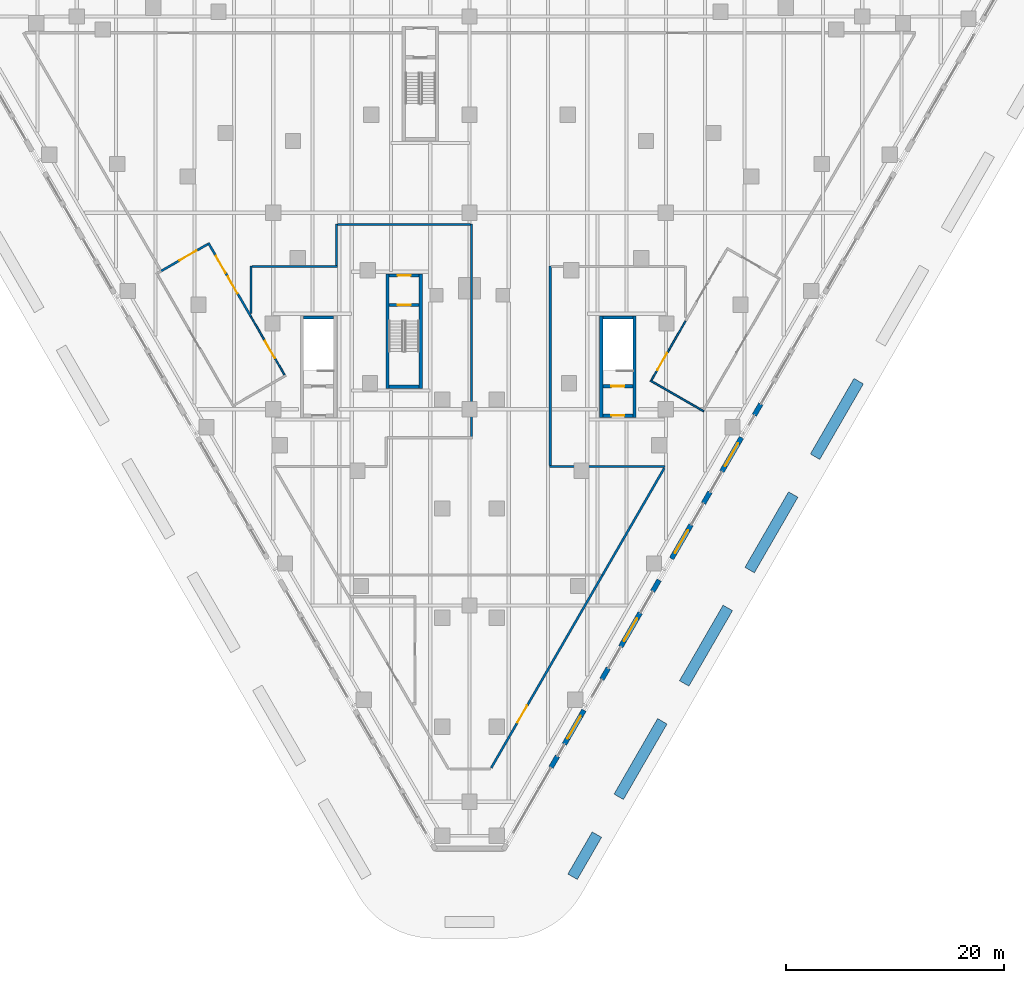
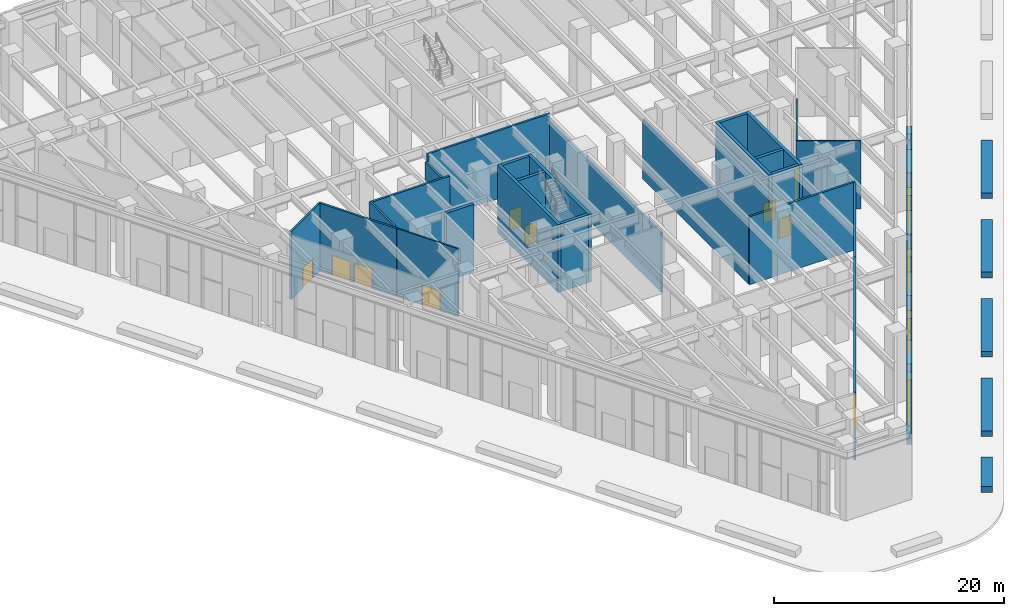
# One storey, part 26 of 37: 39 walls, 14 doors, 14 openings.
"""IFC4 building model written with IfcOpenShell, lengths in metres."""

from ifc_helpers import new_model, si_unit, direction, frame, frame_2d, origin, place, context, subcontext, project, spatial, rectangle, extrude, material, layer, layer_set, type_object, element, fill, save


model = new_model("IFC4")

# Units and contexts
model_context = context("Model", 3, precision=1e-05, world=origin(), true_north=direction((0.0, 1.0)))
body_context = subcontext(model_context, "Body", "Model", "MODEL_VIEW")
ifc_project = project(units=[si_unit("LENGTHUNIT", "METRE"), si_unit("AREAUNIT", "SQUARE_METRE"), si_unit("VOLUMEUNIT", "CUBIC_METRE"), si_unit("PLANEANGLEUNIT", "RADIAN"), si_unit("MASSUNIT", "GRAM", prefix="KILO")], contexts=[model_context])

# Site, building, storey
site_placement = place(None, origin())
site = spatial("IfcSite", under=ifc_project, at=site_placement, CompositionType="ELEMENT")
building_placement = place(site_placement, origin())
building = spatial("IfcBuilding", under=site, at=building_placement, Name="Aloe Facet Convention Tower", CompositionType="ELEMENT")
storey_placement = place(building_placement, origin())
storey = spatial("IfcBuildingStorey", under=building, at=storey_placement, Name="L00", CompositionType="ELEMENT", Elevation=0.0)

# Walls
ifc_material_1 = material(Name="Concrete C50/60", Category="concrete")
ifc_layer_1 = layer(ifc_material_1, 0.300048828125)
ifc_layer_set_1 = layer_set([ifc_layer_1], Name="CR-W-RC300-C5060")
wall_type_1 = type_object("IfcWallType", Name="CR-W-RC300-C5060", PredefinedType="SOLIDWALL", material=ifc_layer_set_1)
for number, where, z_axis, x_axis, name in (
    (1, (72.47509765625, 82.89990234375, 0.0), (0.0, 0.0, 1.0), (0.0, 1.0, 0.0), "Exit stair wall L00-01"),
    (2, (75.52490234375, 82.89990234375, 0.0), (0.0, 0.0, 1.0), (0.0, 1.0, 0.0), "Exit stair wall L00-02"),
):
    element("IfcWall", number, at=place(storey_placement, frame(where, z_axis=z_axis, x_axis=x_axis)), inside=storey, type_object=wall_type_1, Name=name, PredefinedType="SOLIDWALL", context=body_context, shape_type="SweptSolid", body=[
        extrude(rectangle(XDim=10.5, YDim=0.300048828125, at=frame_2d((5.25, 0.0))), origin(), (0.0, 0.0, 1.0), 7.199951171875),
    ])
wall_1_placement = place(storey_placement, frame((72.625, 83.050048828125, 0.0), z_axis=(0.0, 0.0, 1.0), x_axis=(1.0, 0.0, 0.0)))
element("IfcWall", 3, at=wall_1_placement, inside=storey, type_object=wall_type_1, Name="Exit stair wall L00-03", PredefinedType="SOLIDWALL", context=body_context, shape_type="SweptSolid", body=[
    extrude(rectangle(XDim=2.75, YDim=0.300048828125, at=frame_2d((1.375, 0.0))), origin(), (0.0, 0.0, 1.0), 7.199951171875),
])

# Wall, opening, door
wall_2_placement = place(storey_placement, frame((72.625, 90.550048828125, 0.0), z_axis=(0.0, 0.0, 1.0), x_axis=(1.0, 0.0, 0.0)))
wall_2 = element("IfcWall", 4, at=wall_2_placement, inside=storey, type_object=wall_type_1, Name="Exit stair wall L00-04", PredefinedType="SOLIDWALL", context=body_context, shape_type="SweptSolid", body=[
    extrude(rectangle(XDim=2.75, YDim=0.300048828125, at=frame_2d((1.375, 0.0))), origin(), (0.0, 0.0, 1.0), 7.199951171875),
])
opening_1_placement = place(wall_2_placement, frame((0.77490234375, 0.0, 0.0)))
opening_1 = element("IfcOpeningElement", 5, at=opening_1_placement, cuts=wall_2, Name="Opening L00-ST4-01", PredefinedType="OPENING", context=body_context, shape_type="SweptSolid", body=[
    extrude(rectangle(XDim=1.199951171875, YDim=2.10009765625, at=frame_2d((0.60009765625, 1.050048828125))), frame((0.0, 0.16015625, 0.0), z_axis=(0.0, -1.0, 0.0), x_axis=(1.0, 0.0, 0.0)), (0.0, 0.0, 1.0), 0.320068359375),
])
ifc_material_2 = material(Name="Steel fire-resisting door set FD120", Category="steel")
door_type_1 = type_object("IfcDoorType", Name="CR-D-STAIR-1200-FD120-SLEFT", OperationType="SINGLE_SWING_LEFT", PredefinedType="DOOR", material=ifc_material_2)
door_1_placement = place(opening_1_placement, origin())
door_1 = element("IfcDoor", 6, at=door_1_placement, inside=storey, type_object=door_type_1, Name="Stair door L00-ST4-01", OperationType="SINGLE_SWING_LEFT", OverallHeight=2.10009765625, OverallWidth=1.199951171875, PredefinedType="DOOR", context=body_context, shape_type="SweptSolid", body=[
    extrude(rectangle(XDim=1.199951171875, YDim=2.10009765625, at=frame_2d((0.60009765625, 1.050048828125))), frame((0.0, 0.02490234375, 0.0), z_axis=(0.0, -1.0, 0.0), x_axis=(1.0, 0.0, 0.0)), (0.0, 0.0, 1.0), 0.050048828125),
])
fill(opening_1, door_1)

wall_3_placement = place(storey_placement, frame((72.625, 93.25, 0.0), z_axis=(0.0, 0.0, 1.0), x_axis=(1.0, 0.0, 0.0)))
wall_3 = element("IfcWall", 7, at=wall_3_placement, inside=storey, type_object=wall_type_1, Name="Exit stair wall L00-05", PredefinedType="SOLIDWALL", context=body_context, shape_type="SweptSolid", body=[
    extrude(rectangle(XDim=2.75, YDim=0.300048828125, at=frame_2d((1.375, 0.0))), origin(), (0.0, 0.0, 1.0), 7.199951171875),
])
opening_2_placement = place(wall_3_placement, frame((0.77490234375, 0.0, 0.0)))
opening_2 = element("IfcOpeningElement", 8, at=opening_2_placement, cuts=wall_3, Name="Opening L00-ST4-02", PredefinedType="OPENING", context=body_context, shape_type="SweptSolid", body=[
    extrude(rectangle(XDim=1.199951171875, YDim=2.10009765625, at=frame_2d((0.60009765625, 1.050048828125))), frame((0.0, 0.16015625, 0.0), z_axis=(0.0, -1.0, 0.0), x_axis=(1.0, 0.0, 0.0)), (0.0, 0.0, 1.0), 0.320068359375),
])
ifc_material_3 = material(Name="Steel fire-resisting door set FD60", Category="steel")
door_type_2 = type_object("IfcDoorType", Name="CR-D-EXIT-1200-FD60-SRIGHT", OperationType="SINGLE_SWING_RIGHT", PredefinedType="DOOR", material=ifc_material_3)
door_2_placement = place(opening_2_placement, origin())
door_2 = element("IfcDoor", 9, at=door_2_placement, inside=storey, type_object=door_type_2, Name="Stair lobby door L00-ST4-02", OperationType="SINGLE_SWING_RIGHT", OverallHeight=2.10009765625, OverallWidth=1.199951171875, PredefinedType="DOOR", context=body_context, shape_type="SweptSolid", body=[
    extrude(rectangle(XDim=1.199951171875, YDim=2.10009765625, at=frame_2d((0.60009765625, 1.050048828125))), frame((0.0, 0.02490234375, 0.0), z_axis=(0.0, -1.0, 0.0), x_axis=(1.0, 0.0, 0.0)), (0.0, 0.0, 1.0), 0.050048828125),
])
fill(opening_2, door_2)

# Walls
for number, where, z_axis, x_axis, name in (
    (10, (92.074951171875, 80.25, 0.0), (0.0, 0.0, 1.0), (0.0, 1.0, 0.0), "Exit stair wall L00-11"),
    (11, (95.125, 80.25, 0.0), (0.0, 0.0, 1.0), (0.0, 1.0, 0.0), "Exit stair wall L00-12"),
):
    element("IfcWall", number, at=place(storey_placement, frame(where, z_axis=z_axis, x_axis=x_axis)), inside=storey, type_object=wall_type_1, Name=name, PredefinedType="SOLIDWALL", context=body_context, shape_type="SweptSolid", body=[
        extrude(rectangle(XDim=9.300048828125, YDim=0.300048828125, at=frame_2d((4.64990234375, 0.0))), origin(), (0.0, 0.0, 1.0), 7.199951171875),
    ])

# Wall, opening, door
wall_4_placement = place(storey_placement, frame((92.22509765625, 80.39990234375, 0.0), z_axis=(0.0, 0.0, 1.0), x_axis=(1.0, 0.0, 0.0)))
wall_4 = element("IfcWall", 12, at=wall_4_placement, inside=storey, type_object=wall_type_1, Name="Exit stair wall L00-13", PredefinedType="SOLIDWALL", context=body_context, shape_type="SweptSolid", body=[
    extrude(rectangle(XDim=2.75, YDim=0.300048828125, at=frame_2d((1.375, 0.0))), origin(), (0.0, 0.0, 1.0), 7.199951171875),
])
opening_3_placement = place(wall_4_placement, frame((0.77490234375, 0.0, 0.0)))
opening_3 = element("IfcOpeningElement", 13, at=opening_3_placement, cuts=wall_4, Name="Opening L00-ST6-02", PredefinedType="OPENING", context=body_context, shape_type="SweptSolid", body=[
    extrude(rectangle(XDim=1.199951171875, YDim=2.10009765625, at=frame_2d((0.60009765625, 1.050048828125))), frame((0.0, 0.16015625, 0.0), z_axis=(0.0, -1.0, 0.0), x_axis=(1.0, 0.0, 0.0)), (0.0, 0.0, 1.0), 0.320068359375),
])
door_3_placement = place(opening_3_placement, origin())
door_3 = element("IfcDoor", 14, at=door_3_placement, inside=storey, type_object=door_type_2, Name="Stair lobby door L00-ST6-02", OperationType="SINGLE_SWING_RIGHT", OverallHeight=2.10009765625, OverallWidth=1.199951171875, PredefinedType="DOOR", context=body_context, shape_type="SweptSolid", body=[
    extrude(rectangle(XDim=1.199951171875, YDim=2.10009765625, at=frame_2d((0.60009765625, 1.050048828125))), frame((0.0, 0.02490234375, 0.0), z_axis=(0.0, -1.0, 0.0), x_axis=(1.0, 0.0, 0.0)), (0.0, 0.0, 1.0), 0.050048828125),
])
fill(opening_3, door_3)

wall_5_placement = place(storey_placement, frame((92.22509765625, 83.10009765625, 0.0), z_axis=(0.0, 0.0, 1.0), x_axis=(1.0, 0.0, 0.0)))
wall_5 = element("IfcWall", 15, at=wall_5_placement, inside=storey, type_object=wall_type_1, Name="Exit stair wall L00-14", PredefinedType="SOLIDWALL", context=body_context, shape_type="SweptSolid", body=[
    extrude(rectangle(XDim=2.75, YDim=0.300048828125, at=frame_2d((1.375, 0.0))), origin(), (0.0, 0.0, 1.0), 7.199951171875),
])
opening_4_placement = place(wall_5_placement, frame((0.77490234375, 0.0, 0.0)))
opening_4 = element("IfcOpeningElement", 16, at=opening_4_placement, cuts=wall_5, Name="Opening L00-ST6-01", PredefinedType="OPENING", context=body_context, shape_type="SweptSolid", body=[
    extrude(rectangle(XDim=1.199951171875, YDim=2.10009765625, at=frame_2d((0.60009765625, 1.050048828125))), frame((0.0, 0.16015625, 0.0), z_axis=(0.0, -1.0, 0.0), x_axis=(1.0, 0.0, 0.0)), (0.0, 0.0, 1.0), 0.320068359375),
])
door_4_placement = place(opening_4_placement, origin())
door_4 = element("IfcDoor", 17, at=door_4_placement, inside=storey, type_object=door_type_1, Name="Stair door L00-ST6-01", OperationType="SINGLE_SWING_LEFT", OverallHeight=2.10009765625, OverallWidth=1.199951171875, PredefinedType="DOOR", context=body_context, shape_type="SweptSolid", body=[
    extrude(rectangle(XDim=1.199951171875, YDim=2.10009765625, at=frame_2d((0.60009765625, 1.050048828125))), frame((0.0, 0.02490234375, 0.0), z_axis=(0.0, -1.0, 0.0), x_axis=(1.0, 0.0, 0.0)), (0.0, 0.0, 1.0), 0.050048828125),
])
fill(opening_4, door_4)

# Walls
for number, where, z_axis, x_axis, name in (
    (18, (92.22509765625, 89.39990234375, 0.0), (0.0, 0.0, 1.0), (1.0, 0.0, 0.0), "Exit stair wall L00-15"),
    (19, (64.800048828125, 89.39990234375, 0.0), (0.0, 0.0, 1.0), (1.0, 0.0, 0.0), "Exit stair wall L00-20"),
):
    element("IfcWall", number, at=place(storey_placement, frame(where, z_axis=z_axis, x_axis=x_axis)), inside=storey, type_object=wall_type_1, Name=name, PredefinedType="SOLIDWALL", context=body_context, shape_type="SweptSolid", body=[
        extrude(rectangle(XDim=2.75, YDim=0.300048828125, at=frame_2d((1.375, 0.0))), origin(), (0.0, 0.0, 1.0), 7.199951171875),
    ])
ifc_material_4 = material(Name="Precast concrete C40/50", Category="concrete")
ifc_layer_2 = layer(ifc_material_4, 1.0)
ifc_layer_set_2 = layer_set([ifc_layer_2], Name="EV-PLANTER-BED")
wall_type_2 = type_object("IfcWallType", Name="EV-PLANTER-BED", PredefinedType="STANDARD", material=ifc_layer_set_2)
for number, where, z_axis, x_axis, name in (
    (20, (115.6787109375, 83.568115234375, 0.0), (0.0, 0.0, 1.0), (-0.49999894854, -0.866026010844, 0.0), "PLANTER G-5"),
    (21, (109.6787109375, 73.17578125, 0.0), (0.0, 0.0, 1.0), (-0.49999894854, -0.866026010844, 0.0), "PLANTER G-6"),
    (22, (103.6787109375, 62.783447265625, 0.0), (0.0, 0.0, 1.0), (-0.49999894854, -0.866026010844, 0.0), "PLANTER G-7"),
    (23, (97.6787109375, 52.39111328125, 0.0), (0.0, 0.0, 1.0), (-0.49999894854, -0.866026010844, 0.0), "PLANTER G-8"),
):
    element("IfcWall", number, at=place(storey_placement, frame(where, z_axis=z_axis, x_axis=x_axis)), inside=storey, type_object=wall_type_2, Name=name, PredefinedType="STANDARD", context=body_context, shape_type="SweptSolid", body=[
        extrude(rectangle(XDim=8.0, YDim=1.0, at=frame_2d((4.0, 0.0))), origin(), (0.0, 0.0, 1.0), 0.60009765625),
    ])
wall_6_placement = place(storey_placement, frame((91.6787109375, 41.998779296875, 0.0), z_axis=(0.0, 0.0, 1.0), x_axis=(-0.499992336327, -0.866029828363, 0.0)))
element("IfcWall", 24, at=wall_6_placement, inside=storey, type_object=wall_type_2, Name="PLANTER G-9", PredefinedType="STANDARD", context=body_context, shape_type="SweptSolid", body=[
    extrude(rectangle(XDim=4.46337890625, YDim=1.0, at=frame_2d((2.231689453125, 0.0))), origin(), (0.0, 0.0, 1.0), 0.60009765625),
])
ifc_material_5 = material(Name="Precast concrete C40/50", Category="concrete")
ifc_layer_3 = layer(ifc_material_5, 0.449951171875)
ifc_layer_set_3 = layer_set([ifc_layer_3], Name="EV-WALL-STONE")
wall_type_3 = type_object("IfcWallType", Name="EV-WALL-STONE", PredefinedType="SOLIDWALL", material=ifc_layer_set_3)
wall_7_placement = place(storey_placement, frame((87.4658203125, 48.151611328125, -0.300048828125), z_axis=(0.0, 0.0, 1.0), x_axis=(0.500033551112, 0.866006032174, 0.0)))
element("IfcWall", 25, at=wall_7_placement, inside=storey, type_object=wall_type_3, Name="PW-L00-E03", PredefinedType="SOLIDWALL", context=body_context, shape_type="SweptSolid", body=[
    extrude(rectangle(XDim=1.2001953125, YDim=0.449951171875, at=frame_2d((0.60009765625, 0.0))), origin(), (0.0, 0.0, 1.0), 6.8125),
])

# Wall, opening, door
wall_8_placement = place(storey_placement, frame((88.6962890625, 50.28271484375, -0.300048828125), z_axis=(0.0, 0.0, 1.0), x_axis=(0.499961193289, 0.866047807691, 0.0)))
wall_8 = element("IfcWall", 26, at=wall_8_placement, inside=storey, type_object=wall_type_3, Name="PW-L00-E04", PredefinedType="SOLIDWALL", context=body_context, shape_type="SweptSolid", body=[
    extrude(rectangle(XDim=3.599853515625, YDim=0.449951171875, at=frame_2d((1.7998046875, 0.0))), origin(), (0.0, 0.0, 1.0), 6.8125),
])
opening_5_placement = place(wall_8_placement, frame((0.60009765625, 0.0, 0.300048828125)))
opening_5 = element("IfcOpeningElement", 27, at=opening_5_placement, cuts=wall_8, Name="Opening D-L00-E04", PredefinedType="OPENING", context=body_context, shape_type="SweptSolid", body=[
    extrude(rectangle(XDim=2.39990234375, YDim=3.0, at=frame_2d((1.199951171875, 1.5))), frame((0.0, 0.23486328125, 0.0), z_axis=(0.0, -1.0, 0.0), x_axis=(1.0, 0.0, 0.0)), (0.0, 0.0, 1.0), 0.469970703125),
])
ifc_material_6 = material(Name="Aluminium frame, clear double glazing", Category="aluminium")
door_type_3 = type_object("IfcDoorType", Name="EV-DOOR-ENTRY", OperationType="DOUBLE_DOOR_SINGLE_SWING", PredefinedType="DOOR", material=ifc_material_6)
door_5_placement = place(opening_5_placement, origin())
door_5 = element("IfcDoor", 28, at=door_5_placement, inside=storey, type_object=door_type_3, Name="D-L00-E04", OperationType="DOUBLE_DOOR_SINGLE_SWING", OverallHeight=3.0, OverallWidth=2.39990234375, PredefinedType="DOOR", context=body_context, shape_type="SweptSolid", body=[
    extrude(rectangle(XDim=2.39990234375, YDim=3.0, at=frame_2d((1.199951171875, 1.5))), frame((0.0, 0.02490234375, 0.0), z_axis=(0.0, -1.0, 0.0), x_axis=(1.0, 0.0, 0.0)), (0.0, 0.0, 1.0), 0.050048828125),
])
fill(opening_5, door_5)

# Wall
wall_9_placement = place(storey_placement, frame((92.12646484375, 56.224365234375, -0.300048828125), z_axis=(0.0, 0.0, 1.0), x_axis=(0.50012165622, 0.865955154139, 0.0)))
element("IfcWall", 29, at=wall_9_placement, inside=storey, type_object=wall_type_3, Name="PW-L00-E05", PredefinedType="SOLIDWALL", context=body_context, shape_type="SweptSolid", body=[
    extrude(rectangle(XDim=1.199951171875, YDim=0.449951171875, at=frame_2d((0.60009765625, 0.0))), origin(), (0.0, 0.0, 1.0), 6.8125),
])

# Wall, opening, door
wall_10_placement = place(storey_placement, frame((93.85693359375, 59.22119140625, -0.300048828125), z_axis=(0.0, 0.0, 1.0), x_axis=(0.499931829785, 0.866064758299, 0.0)))
wall_10 = element("IfcWall", 30, at=wall_10_placement, inside=storey, type_object=wall_type_3, Name="PW-L00-E06", PredefinedType="SOLIDWALL", context=body_context, shape_type="SweptSolid", body=[
    extrude(rectangle(XDim=3.60009765625, YDim=0.449951171875, at=frame_2d((1.800048828125, 0.0))), origin(), (0.0, 0.0, 1.0), 6.8125),
])
opening_6_placement = place(wall_10_placement, frame((0.60009765625, 0.0, 0.300048828125)))
opening_6 = element("IfcOpeningElement", 31, at=opening_6_placement, cuts=wall_10, Name="Opening D-L00-E06", PredefinedType="OPENING", context=body_context, shape_type="SweptSolid", body=[
    extrude(rectangle(XDim=2.39990234375, YDim=3.0, at=frame_2d((1.199951171875, 1.5))), frame((0.0, 0.23486328125, 0.0), z_axis=(0.0, -1.0, 0.0), x_axis=(1.0, 0.0, 0.0)), (0.0, 0.0, 1.0), 0.469970703125),
])
door_6_placement = place(opening_6_placement, origin())
door_6 = element("IfcDoor", 32, at=door_6_placement, inside=storey, type_object=door_type_3, Name="D-L00-E06", OperationType="DOUBLE_DOOR_SINGLE_SWING", OverallHeight=3.0, OverallWidth=2.39990234375, PredefinedType="DOOR", context=body_context, shape_type="SweptSolid", body=[
    extrude(rectangle(XDim=2.39990234375, YDim=3.0, at=frame_2d((1.199951171875, 1.5))), frame((0.0, 0.02490234375, 0.0), z_axis=(0.0, -1.0, 0.0), x_axis=(1.0, 0.0, 0.0)), (0.0, 0.0, 1.0), 0.050048828125),
])
fill(opening_6, door_6)

# Wall
wall_11_placement = place(storey_placement, frame((96.787109375, 64.296875, -0.300048828125), z_axis=(0.0, 0.0, 1.0), x_axis=(0.50012165622, 0.865955154139, 0.0)))
element("IfcWall", 33, at=wall_11_placement, inside=storey, type_object=wall_type_3, Name="PW-L00-E07", PredefinedType="SOLIDWALL", context=body_context, shape_type="SweptSolid", body=[
    extrude(rectangle(XDim=1.199951171875, YDim=0.449951171875, at=frame_2d((0.60009765625, 0.0))), origin(), (0.0, 0.0, 1.0), 6.8125),
])

# Wall, opening, door
wall_12_placement = place(storey_placement, frame((98.517578125, 67.2939453125, -0.300048828125), z_axis=(0.0, 0.0, 1.0), x_axis=(0.500012057535, 0.866018442252, 0.0)))
wall_12 = element("IfcWall", 34, at=wall_12_placement, inside=storey, type_object=wall_type_3, Name="PW-L00-E08", PredefinedType="SOLIDWALL", context=body_context, shape_type="SweptSolid", body=[
    extrude(rectangle(XDim=3.60009765625, YDim=0.449951171875, at=frame_2d((1.800048828125, 0.0))), origin(), (0.0, 0.0, 1.0), 6.8125),
])
opening_7_placement = place(wall_12_placement, frame((0.60009765625, 0.0, 0.300048828125)))
opening_7 = element("IfcOpeningElement", 35, at=opening_7_placement, cuts=wall_12, Name="Opening D-L00-E08", PredefinedType="OPENING", context=body_context, shape_type="SweptSolid", body=[
    extrude(rectangle(XDim=2.39990234375, YDim=3.0, at=frame_2d((1.199951171875, 1.5))), frame((0.0, 0.23486328125, 0.0), z_axis=(0.0, -1.0, 0.0), x_axis=(1.0, 0.0, 0.0)), (0.0, 0.0, 1.0), 0.469970703125),
])
door_7_placement = place(opening_7_placement, origin())
door_7 = element("IfcDoor", 36, at=door_7_placement, inside=storey, type_object=door_type_3, Name="D-L00-E08", OperationType="DOUBLE_DOOR_SINGLE_SWING", OverallHeight=3.0, OverallWidth=2.39990234375, PredefinedType="DOOR", context=body_context, shape_type="SweptSolid", body=[
    extrude(rectangle(XDim=2.39990234375, YDim=3.0, at=frame_2d((1.199951171875, 1.5))), frame((0.0, 0.02490234375, 0.0), z_axis=(0.0, -1.0, 0.0), x_axis=(1.0, 0.0, 0.0)), (0.0, 0.0, 1.0), 0.050048828125),
])
fill(opening_7, door_7)

# Wall
wall_13_placement = place(storey_placement, frame((101.447998046875, 72.369384765625, -0.300048828125), z_axis=(0.0, 0.0, 1.0), x_axis=(0.499969057507, 0.866043267704, 0.0)))
element("IfcWall", 37, at=wall_13_placement, inside=storey, type_object=wall_type_3, Name="PW-L00-E09", PredefinedType="SOLIDWALL", context=body_context, shape_type="SweptSolid", body=[
    extrude(rectangle(XDim=1.19970703125, YDim=0.449951171875, at=frame_2d((0.599853515625, 0.0))), origin(), (0.0, 0.0, 1.0), 6.8125),
])

# Wall, opening, door
wall_14_placement = place(storey_placement, frame((103.128173828125, 75.27978515625, -0.300048828125), z_axis=(0.0, 0.0, 1.0), x_axis=(0.500012057535, 0.866018442252, 0.0)))
wall_14 = element("IfcWall", 38, at=wall_14_placement, inside=storey, type_object=wall_type_3, Name="PW-L00-E10", PredefinedType="SOLIDWALL", context=body_context, shape_type="SweptSolid", body=[
    extrude(rectangle(XDim=3.60009765625, YDim=0.449951171875, at=frame_2d((1.800048828125, 0.0))), origin(), (0.0, 0.0, 1.0), 6.8125),
])
opening_8_placement = place(wall_14_placement, frame((0.60009765625, 0.0, 0.300048828125)))
opening_8 = element("IfcOpeningElement", 39, at=opening_8_placement, cuts=wall_14, Name="Opening D-L00-E10", PredefinedType="OPENING", context=body_context, shape_type="SweptSolid", body=[
    extrude(rectangle(XDim=2.39990234375, YDim=3.0, at=frame_2d((1.199951171875, 1.5))), frame((0.0, 0.23486328125, 0.0), z_axis=(0.0, -1.0, 0.0), x_axis=(1.0, 0.0, 0.0)), (0.0, 0.0, 1.0), 0.469970703125),
])
door_8_placement = place(opening_8_placement, origin())
door_8 = element("IfcDoor", 40, at=door_8_placement, inside=storey, type_object=door_type_3, Name="D-L00-E10", OperationType="DOUBLE_DOOR_SINGLE_SWING", OverallHeight=3.0, OverallWidth=2.39990234375, PredefinedType="DOOR", context=body_context, shape_type="SweptSolid", body=[
    extrude(rectangle(XDim=2.39990234375, YDim=3.0, at=frame_2d((1.199951171875, 1.5))), frame((0.0, 0.02490234375, 0.0), z_axis=(0.0, -1.0, 0.0), x_axis=(1.0, 0.0, 0.0)), (0.0, 0.0, 1.0), 0.050048828125),
])
fill(opening_8, door_8)

# Wall
wall_15_placement = place(storey_placement, frame((106.108642578125, 80.44189453125, -0.300048828125), z_axis=(0.0, 0.0, 1.0), x_axis=(0.499880961361, 0.866094119867, 0.0)))
element("IfcWall", 41, at=wall_15_placement, inside=storey, type_object=wall_type_3, Name="PW-L00-E11", PredefinedType="SOLIDWALL", context=body_context, shape_type="SweptSolid", body=[
    extrude(rectangle(XDim=1.199951171875, YDim=0.449951171875, at=frame_2d((0.60009765625, 0.0))), origin(), (0.0, 0.0, 1.0), 6.8125),
])

# Wall, opening, door
ifc_material_7 = material(Name="Masonry blockwork wall, plastered", Category="masonry")
ifc_layer_4 = layer(ifc_material_7, 0.199951171875)
ifc_layer_set_4 = layer_set([ifc_layer_4], Name="IN-POD-W-ASSY")
wall_type_4 = type_object("IfcWallType", Name="IN-POD-W-ASSY", PredefinedType="PARTITIONING", material=ifc_layer_set_4)
wall_16_placement = place(storey_placement, frame((81.9873046875, 48.112548828125, 0.0), z_axis=(0.0, 0.0, 1.0), x_axis=(0.500001144849, 0.866024742805, 0.0)))
wall_16 = element("IfcWall", 42, at=wall_16_placement, inside=storey, type_object=wall_type_4, Name="Partition L00-W011", PredefinedType="PARTITIONING", context=body_context, shape_type="SweptSolid", body=[
    extrude(rectangle(XDim=20.423828125, YDim=0.199951171875, at=frame_2d((10.2119140625, 0.0))), origin(), (0.0, 0.0, 1.0), 7.199951171875),
])
opening_9_placement = place(wall_16_placement, frame((4.805908203125, 0.0, 0.0)))
opening_9 = element("IfcOpeningElement", 43, at=opening_9_placement, cuts=wall_16, Name="Opening L00-019", PredefinedType="OPENING", context=body_context, shape_type="SweptSolid", body=[
    extrude(rectangle(XDim=1.800048828125, YDim=2.10009765625, at=frame_2d((0.89990234375, 1.050048828125))), frame((0.0, 0.10986328125, 0.0), z_axis=(0.0, -1.0, 0.0), x_axis=(1.0, 0.0, 0.0)), (0.0, 0.0, 1.0), 0.219970703125),
])
ifc_material_8 = material(Name="Hardwood flush door pair", Category="wood")
door_type_4 = type_object("IfcDoorType", Name="IN-POD-D-PAIR", OperationType="DOUBLE_DOOR_SINGLE_SWING", PredefinedType="DOOR", material=ifc_material_8)
door_9_placement = place(opening_9_placement, origin())
door_9 = element("IfcDoor", 44, at=door_9_placement, inside=storey, type_object=door_type_4, Name="Door L00-019", OperationType="SINGLE_SWING_LEFT", OverallHeight=2.10009765625, OverallWidth=1.800048828125, PredefinedType="DOOR", context=body_context, shape_type="SweptSolid", body=[
    extrude(rectangle(XDim=1.800048828125, YDim=2.10009765625, at=frame_2d((0.89990234375, 1.050048828125))), frame((0.0, 0.02490234375, 0.0), z_axis=(0.0, -1.0, 0.0), x_axis=(1.0, 0.0, 0.0)), (0.0, 0.0, 1.0), 0.050048828125),
])
fill(opening_9, door_9)

# Walls
wall_17_placement = place(storey_placement, frame((87.33056640625, 75.72998046875, 0.0), z_axis=(0.0, 0.0, 1.0), x_axis=(1.0, 0.0, 0.0)))
element("IfcWall", 45, at=wall_17_placement, inside=storey, type_object=wall_type_4, Name="Partition L00-W014", PredefinedType="PARTITIONING", context=body_context, shape_type="SweptSolid", body=[
    extrude(rectangle(XDim=10.6015625, YDim=0.199951171875, at=frame_2d((5.30078125, 0.0))), origin(), (0.0, 0.0, 1.0), 7.199951171875),
])
wall_18_placement = place(storey_placement, frame((92.19921875, 65.800048828125, 0.0), z_axis=(0.0, 0.0, 1.0), x_axis=(0.499996600708, 0.866027366358, 0.0)))
element("IfcWall", 46, at=wall_18_placement, inside=storey, type_object=wall_type_4, Name="Partition L00-W015", PredefinedType="PARTITIONING", context=body_context, shape_type="SweptSolid", body=[
    extrude(rectangle(XDim=11.30615234375, YDim=0.199951171875, at=frame_2d((5.653076171875, 0.0))), origin(), (0.0, 0.0, 1.0), 7.199951171875),
])
wall_19_placement = place(storey_placement, frame((80.194580078125, 78.465087890625, 0.0), z_axis=(0.0, 0.0, 1.0), x_axis=(2.50025e-05, 0.999999999687, 0.0)))
element("IfcWall", 47, at=wall_19_placement, inside=storey, type_object=wall_type_4, Name="Partition L00-W018", PredefinedType="PARTITIONING", context=body_context, shape_type="SweptSolid", body=[
    extrude(rectangle(XDim=19.529296875, YDim=0.199951171875, at=frame_2d((9.7646484375, 0.0))), origin(), (0.0, 0.0, 1.0), 6.339111328125),
])

# Wall, openings, doors
wall_20_placement = place(storey_placement, frame((56.055419921875, 96.24365234375, 0.0), z_axis=(0.0, 0.0, 1.0), x_axis=(0.500009653465, -0.866019830282, 0.0)))
wall_20 = element("IfcWall", 48, at=wall_20_placement, inside=storey, type_object=wall_type_4, Name="Partition L00-W024", PredefinedType="PARTITIONING", context=body_context, shape_type="SweptSolid", body=[
    extrude(rectangle(XDim=7.848876953125, YDim=0.199951171875, at=frame_2d((3.92431640625, 0.0))), origin(), (0.0, 0.0, 1.0), 7.199951171875),
])
opening_10_placement = place(wall_20_placement, frame((1.389892578125, 0.0, 0.0)))
opening_10 = element("IfcOpeningElement", 49, at=opening_10_placement, cuts=wall_20, Name="Opening L00-021", PredefinedType="OPENING", context=body_context, shape_type="SweptSolid", body=[
    extrude(rectangle(XDim=1.800048828125, YDim=2.10009765625, at=frame_2d((0.89990234375, 1.050048828125))), frame((0.0, 0.10986328125, 0.0), z_axis=(0.0, -1.0, 0.0), x_axis=(1.0, 0.0, 0.0)), (0.0, 0.0, 1.0), 0.219970703125),
])
opening_11_placement = place(wall_20_placement, frame((3.5693359375, 0.0, 0.0)))
opening_11 = element("IfcOpeningElement", 50, at=opening_11_placement, cuts=wall_20, Name="Opening L00-027", PredefinedType="OPENING", context=body_context, shape_type="SweptSolid", body=[
    extrude(rectangle(XDim=1.800048828125, YDim=2.10009765625, at=frame_2d((0.89990234375, 1.050048828125))), frame((0.0, 0.10986328125, 0.0), z_axis=(0.0, -1.0, 0.0), x_axis=(1.0, 0.0, 0.0)), (0.0, 0.0, 1.0), 0.219970703125),
])
door_10_placement = place(opening_10_placement, origin())
door_10 = element("IfcDoor", 51, at=door_10_placement, inside=storey, type_object=door_type_4, Name="Door L00-021", OperationType="SINGLE_SWING_LEFT", OverallHeight=2.10009765625, OverallWidth=1.800048828125, PredefinedType="DOOR", context=body_context, shape_type="SweptSolid", body=[
    extrude(rectangle(XDim=1.800048828125, YDim=2.10009765625, at=frame_2d((0.89990234375, 1.050048828125))), frame((0.0, 0.02490234375, 0.0), z_axis=(0.0, -1.0, 0.0), x_axis=(1.0, 0.0, 0.0)), (0.0, 0.0, 1.0), 0.050048828125),
])
fill(opening_10, door_10)
door_11_placement = place(opening_11_placement, origin())
door_11 = element("IfcDoor", 52, at=door_11_placement, inside=storey, type_object=door_type_4, Name="Door L00-027", OperationType="SINGLE_SWING_LEFT", OverallHeight=2.10009765625, OverallWidth=1.800048828125, PredefinedType="DOOR", context=body_context, shape_type="SweptSolid", body=[
    extrude(rectangle(XDim=1.800048828125, YDim=2.10009765625, at=frame_2d((0.89990234375, 1.050048828125))), frame((0.0, 0.02490234375, 0.0), z_axis=(0.0, -1.0, 0.0), x_axis=(1.0, 0.0, 0.0)), (0.0, 0.0, 1.0), 0.050048828125),
])
fill(opening_11, door_11)

# Walls
wall_21_placement = place(storey_placement, frame((59.97998046875, 89.791259765625, 0.0), z_axis=(0.0, 0.0, 1.0), x_axis=(0.0, 1.0, 0.0)))
element("IfcWall", 53, at=wall_21_placement, inside=storey, type_object=wall_type_4, Name="Partition L00-W031", PredefinedType="PARTITIONING", context=body_context, shape_type="SweptSolid", body=[
    extrude(rectangle(XDim=4.353271484375, YDim=0.199951171875, at=frame_2d((2.1767578125, 0.0))), origin(), (0.0, 0.0, 1.0), 7.199951171875),
])
wall_22_placement = place(storey_placement, frame((87.405517578125, 75.81494140625, 0.0), z_axis=(0.0, 0.0, 1.0), x_axis=(-2.6638962e-05, 0.999999999645, 0.0)))
element("IfcWall", 54, at=wall_22_placement, inside=storey, type_object=wall_type_4, Name="Partition L00-W032", PredefinedType="PARTITIONING", context=body_context, shape_type="SweptSolid", body=[
    extrude(rectangle(XDim=18.32958984375, YDim=0.199951171875, at=frame_2d((9.164794921875, 0.0))), origin(), (0.0, 0.0, 1.0), 6.339111328125),
])
wall_23_placement = place(storey_placement, frame((60.06494140625, 94.069580078125, 0.0), z_axis=(0.0, 0.0, 1.0), x_axis=(0.999999998048, 6.2480475e-05, 0.0)))
element("IfcWall", 55, at=wall_23_placement, inside=storey, type_object=wall_type_4, Name="Partition L00-W033", PredefinedType="PARTITIONING", context=body_context, shape_type="SweptSolid", body=[
    extrude(rectangle(XDim=7.81494140625, YDim=0.199951171875, at=frame_2d((3.907470703125, 0.0))), origin(), (0.0, 0.0, 1.0), 7.199951171875),
])

# Wall, opening, door
wall_24_placement = place(storey_placement, frame((51.72802734375, 93.6591796875, 0.0), z_axis=(0.0, 0.0, 1.0), x_axis=(0.866070254654, 0.499922307967, 0.0)))
wall_24 = element("IfcWall", 56, at=wall_24_placement, inside=storey, type_object=wall_type_4, Name="Partition L00-W036", PredefinedType="PARTITIONING", context=body_context, shape_type="SweptSolid", body=[
    extrude(rectangle(XDim=4.934814453125, YDim=0.199951171875, at=frame_2d((2.46728515625, 0.0))), origin(), (0.0, 0.0, 1.0), 7.199951171875),
])
opening_12_placement = place(wall_24_placement, frame((1.94775390625, 0.0, 0.0)))
opening_12 = element("IfcOpeningElement", 57, at=opening_12_placement, cuts=wall_24, Name="Opening L00-024", PredefinedType="OPENING", context=body_context, shape_type="SweptSolid", body=[
    extrude(rectangle(XDim=1.800048828125, YDim=2.10009765625, at=frame_2d((0.89990234375, 1.050048828125))), frame((0.0, 0.10986328125, 0.0), z_axis=(0.0, -1.0, 0.0), x_axis=(1.0, 0.0, 0.0)), (0.0, 0.0, 1.0), 0.219970703125),
])
door_12_placement = place(opening_12_placement, origin())
door_12 = element("IfcDoor", 58, at=door_12_placement, inside=storey, type_object=door_type_4, Name="Door L00-024", OperationType="SINGLE_SWING_LEFT", OverallHeight=2.10009765625, OverallWidth=1.800048828125, PredefinedType="DOOR", context=body_context, shape_type="SweptSolid", body=[
    extrude(rectangle(XDim=1.800048828125, YDim=2.10009765625, at=frame_2d((0.89990234375, 1.050048828125))), frame((0.0, 0.02490234375, 0.0), z_axis=(0.0, -1.0, 0.0), x_axis=(1.0, 0.0, 0.0)), (0.0, 0.0, 1.0), 0.050048828125),
])
fill(opening_12, door_12)

# Walls
wall_25_placement = place(storey_placement, frame((67.804931640625, 94.155029296875, 0.0), z_axis=(0.0, 0.0, 1.0), x_axis=(0.0, 1.0, 0.0)))
element("IfcWall", 59, at=wall_25_placement, inside=storey, type_object=wall_type_4, Name="Partition L00-W037", PredefinedType="PARTITIONING", context=body_context, shape_type="SweptSolid", body=[
    extrude(rectangle(XDim=3.83935546875, YDim=0.199951171875, at=frame_2d((1.919677734375, 0.0))), origin(), (0.0, 0.0, 1.0), 6.339111328125),
])
wall_26_placement = place(storey_placement, frame((67.889892578125, 97.91943359375, 0.0), z_axis=(0.0, 0.0, 1.0), x_axis=(1.0, 0.0, 0.0)))
element("IfcWall", 60, at=wall_26_placement, inside=storey, type_object=wall_type_4, Name="Partition L00-W038", PredefinedType="PARTITIONING", context=body_context, shape_type="SweptSolid", body=[
    extrude(rectangle(XDim=12.22021484375, YDim=0.199951171875, at=frame_2d((6.110107421875, 0.0))), origin(), (0.0, 0.0, 1.0), 7.199951171875),
])
ifc_material_9 = material(Name="Gypsum board partition on steel studs, double layer", Category="steel")
ifc_layer_5 = layer(ifc_material_9, 0.14990234375)
ifc_layer_set_5 = layer_set([ifc_layer_5], Name="IN-POD-W-CORR")
wall_type_5 = type_object("IfcWallType", Name="IN-POD-W-CORR", PredefinedType="PARTITIONING", material=ifc_layer_set_5)
wall_27_placement = place(storey_placement, frame((96.57470703125, 83.62890625, 0.0), z_axis=(0.0, 0.0, 1.0), x_axis=(0.86603015807, -0.499991765245, 0.0)))
element("IfcWall", 61, at=wall_27_placement, inside=storey, type_object=wall_type_5, Name="Partition L00-W019", PredefinedType="PARTITIONING", context=body_context, shape_type="SweptSolid", body=[
    extrude(rectangle(XDim=5.64990234375, YDim=0.14990234375, at=frame_2d((2.824951171875, 0.0))), origin(), (0.0, 0.0, 1.0), 7.199951171875),
])

# Wall, opening, door
wall_28_placement = place(storey_placement, frame((96.67724609375, 83.65625, 0.0), z_axis=(0.0, 0.0, 1.0), x_axis=(0.499988219145, 0.866032205357, 0.0)))
wall_28 = element("IfcWall", 62, at=wall_28_placement, inside=storey, type_object=wall_type_5, Name="Partition L00-W021", PredefinedType="PARTITIONING", context=body_context, shape_type="SweptSolid", body=[
    extrude(rectangle(XDim=6.255615234375, YDim=0.14990234375, at=frame_2d((3.1279296875, 0.0))), origin(), (0.0, 0.0, 1.0), 7.199951171875),
])
opening_13_placement = place(wall_28_placement, frame((1.071044921875, 0.0, 0.0)))
opening_13 = element("IfcOpeningElement", 63, at=opening_13_placement, cuts=wall_28, Name="Opening L00-017", PredefinedType="OPENING", context=body_context, shape_type="SweptSolid", body=[
    extrude(rectangle(XDim=1.800048828125, YDim=2.10009765625, at=frame_2d((0.89990234375, 1.050048828125))), frame((0.0, 0.0849609375, 0.0), z_axis=(0.0, -1.0, 0.0), x_axis=(1.0, 0.0, 0.0)), (0.0, 0.0, 1.0), 0.169921875),
])
door_13_placement = place(opening_13_placement, origin())
door_13 = element("IfcDoor", 64, at=door_13_placement, inside=storey, type_object=door_type_4, Name="Door L00-017", OperationType="SINGLE_SWING_LEFT", OverallHeight=2.10009765625, OverallWidth=1.800048828125, PredefinedType="DOOR", context=body_context, shape_type="SweptSolid", body=[
    extrude(rectangle(XDim=1.800048828125, YDim=2.10009765625, at=frame_2d((0.89990234375, 1.050048828125))), frame((0.0, 0.02490234375, 0.0), z_axis=(0.0, -1.0, 0.0), x_axis=(1.0, 0.0, 0.0)), (0.0, 0.0, 1.0), 0.050048828125),
])
fill(opening_13, door_13)

wall_29_placement = place(storey_placement, frame((59.97998046875, 89.4462890625, 0.0), z_axis=(0.0, 0.0, 1.0), x_axis=(0.499981299016, -0.866036200534, 0.0)))
wall_29 = element("IfcWall", 65, at=wall_29_placement, inside=storey, type_object=wall_type_5, Name="Partition L00-W025", PredefinedType="PARTITIONING", context=body_context, shape_type="SweptSolid", body=[
    extrude(rectangle(XDim=6.150634765625, YDim=0.14990234375, at=frame_2d((3.0751953125, 0.0))), origin(), (0.0, 0.0, 1.0), 7.199951171875),
])
opening_14_placement = place(wall_29_placement, frame((2.55029296875, 0.0, 0.0)))
opening_14 = element("IfcOpeningElement", 66, at=opening_14_placement, cuts=wall_29, Name="Opening L00-015", PredefinedType="OPENING", context=body_context, shape_type="SweptSolid", body=[
    extrude(rectangle(XDim=1.800048828125, YDim=2.10009765625, at=frame_2d((0.89990234375, 1.050048828125))), frame((0.0, 0.0849609375, 0.0), z_axis=(0.0, -1.0, 0.0), x_axis=(1.0, 0.0, 0.0)), (0.0, 0.0, 1.0), 0.169921875),
])
door_14_placement = place(opening_14_placement, origin())
door_14 = element("IfcDoor", 67, at=door_14_placement, inside=storey, type_object=door_type_4, Name="Door L00-015", OperationType="SINGLE_SWING_LEFT", OverallHeight=2.10009765625, OverallWidth=1.800048828125, PredefinedType="DOOR", context=body_context, shape_type="SweptSolid", body=[
    extrude(rectangle(XDim=1.800048828125, YDim=2.10009765625, at=frame_2d((0.89990234375, 1.050048828125))), frame((0.0, 0.02490234375, 0.0), z_axis=(0.0, -1.0, 0.0), x_axis=(1.0, 0.0, 0.0)), (0.0, 0.0, 1.0), 0.050048828125),
])
fill(opening_14, door_14)

save(model, "model.ifc")
